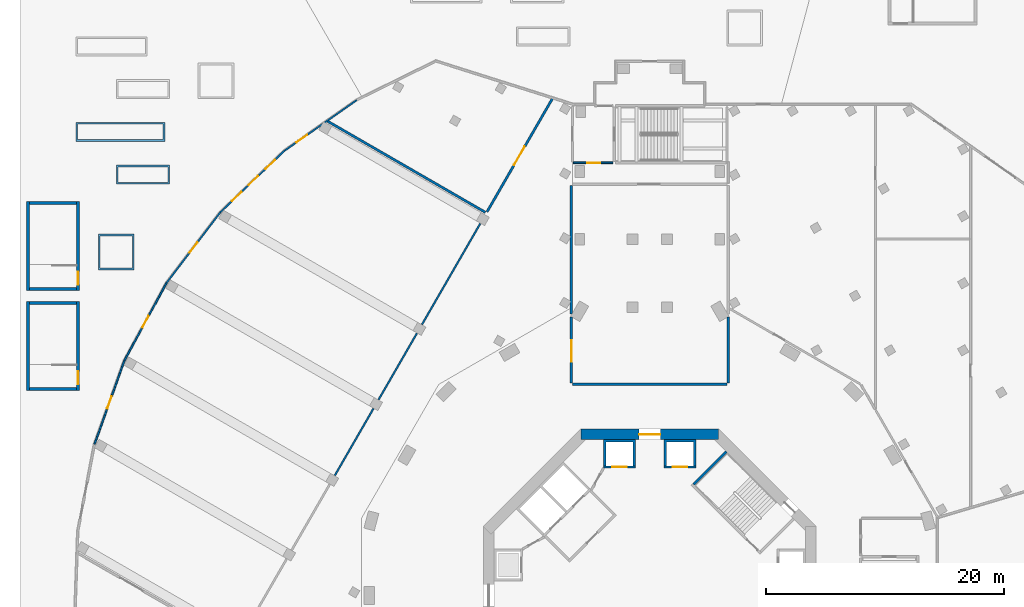
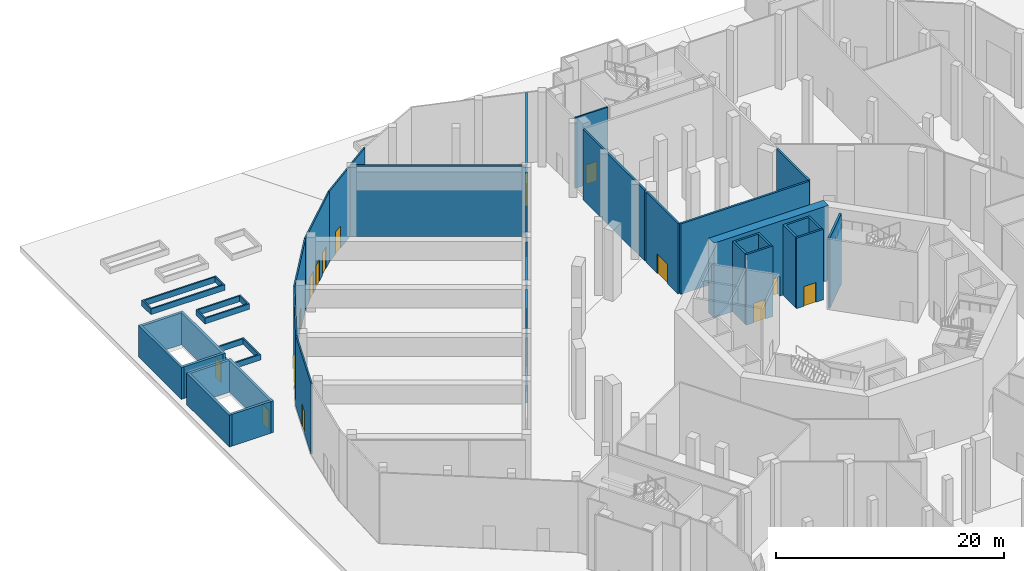
# One storey, part 10 of 30: 32 walls, 15 doors, 15 openings.
"""IFC4 building model written with IfcOpenShell, lengths in metres."""

from ifc_helpers import new_model, si_unit, direction, frame, frame_2d, origin, place, context, subcontext, project, spatial, polyline, rectangle, outline, extrude, material, layer, layer_set, type_object, element, fill, save


model = new_model("IFC4")

# Units and contexts
model_context = context("Model", 3, precision=1e-05, world=origin(), true_north=direction((0.0, 1.0)))
body_context = subcontext(model_context, "Body", "Model", "MODEL_VIEW")
ifc_project = project(units=[si_unit("LENGTHUNIT", "METRE"), si_unit("AREAUNIT", "SQUARE_METRE"), si_unit("VOLUMEUNIT", "CUBIC_METRE"), si_unit("PLANEANGLEUNIT", "RADIAN"), si_unit("MASSUNIT", "GRAM", prefix="KILO")], contexts=[model_context])

# Site, building, storey
site_placement = place(None, origin())
site = spatial("IfcSite", under=ifc_project, at=site_placement, CompositionType="ELEMENT")
building_placement = place(site_placement, origin())
building = spatial("IfcBuilding", under=site, at=building_placement, Name="Verdalira Terraces Hotel", CompositionType="ELEMENT")
storey_placement = place(building_placement, origin())
storey = spatial("IfcBuildingStorey", under=building, at=storey_placement, Name="L00", CompositionType="ELEMENT", Elevation=0.0)

# Wall
ifc_material_1 = material(Name="Concrete C50", Category="concrete")
ifc_layer_1 = layer(ifc_material_1, 0.199951171875)
ifc_layer_set_1 = layer_set([ifc_layer_1], Name="Core RC wall 200 C50")
wall_type_1 = type_object("IfcWallType", Name="Core RC wall 200 C50", PredefinedType="SOLIDWALL", material=ifc_layer_set_1)
wall_1_placement = place(storey_placement, origin())
element("IfcWall", 1, at=wall_1_placement, inside=storey, type_object=wall_type_1, Name="L00 shaft wall N1", PredefinedType="SOLIDWALL", context=body_context, shape_type="SweptSolid", body=[
    extrude(outline(polyline([(3.899902, 13.100098), (3.899902, 10.899902), (3.699951, 10.899902), (3.699951, 12.899902), (1.399902, 12.899902), (1.399902, 10.899902), (1.199951, 10.899902), (1.199951, 13.100098), (3.899902, 13.100098)])), origin(), (0.0, 0.0, 1.0), 7.550049),
])

# Wall, opening, door
wall_2_placement = place(storey_placement, frame((1.199951, 10.800049, 0.0), z_axis=(0.0, 0.0, 1.0), x_axis=(1.0, 0.0, 0.0)))
wall_2 = element("IfcWall", 2, at=wall_2_placement, inside=storey, type_object=wall_type_1, Name="L00 shaft front wall N1", PredefinedType="SOLIDWALL", context=body_context, shape_type="SweptSolid", body=[
    extrude(rectangle(XDim=2.699951, YDim=0.199951, at=frame_2d((1.350098, 0.0))), origin(), (0.0, 0.0, 1.0), 7.550049),
])
opening_1_placement = place(wall_2_placement, frame((0.75, 0.0, 0.0)))
opening_1 = element("IfcOpeningElement", 3, at=opening_1_placement, cuts=wall_2, Name="Opening LD-L00-803", PredefinedType="OPENING", context=body_context, shape_type="SweptSolid", body=[
    extrude(rectangle(XDim=1.199951, YDim=2.100098, at=frame_2d((0.600098, 1.050049))), frame((0.0, 0.109863, 0.0), z_axis=(0.0, -1.0, 0.0), x_axis=(1.0, 0.0, 0.0)), (0.0, 0.0, 1.0), 0.219971),
])
ifc_material_2 = material(Name="Stainless steel", Category="steel")
door_type_1 = type_object("IfcDoorType", Name="Landing door 1200 x 2100", OperationType="NOTDEFINED", PredefinedType="DOOR", material=ifc_material_2)
door_1_placement = place(opening_1_placement, origin())
door_1 = element("IfcDoor", 4, at=door_1_placement, inside=storey, type_object=door_type_1, Name="Lift landing door LR3 L00", OperationType="DOUBLE_DOOR_SLIDING", OverallHeight=2.10009765625, OverallWidth=1.199951171875, PredefinedType="DOOR", context=body_context, shape_type="SweptSolid", body=[
    extrude(rectangle(XDim=1.199951, YDim=2.100098, at=frame_2d((0.600098, 1.050049))), frame((0.0, 0.024902, 0.0), z_axis=(0.0, -1.0, 0.0), x_axis=(1.0, 0.0, 0.0)), (0.0, 0.0, 1.0), 0.050049),
])
fill(opening_1, door_1)

# Wall
wall_3_placement = place(storey_placement, origin())
element("IfcWall", 5, at=wall_3_placement, inside=storey, type_object=wall_type_1, Name="L00 shaft wall N2", PredefinedType="SOLIDWALL", context=body_context, shape_type="SweptSolid", body=[
    extrude(outline(polyline([(-3.899902, 10.899902), (-3.899902, 13.100098), (-1.199951, 13.100098), (-1.199951, 10.899902), (-1.399902, 10.899902), (-1.399902, 12.899902), (-3.699951, 12.899902), (-3.699951, 10.899902), (-3.899902, 10.899902)])), origin(), (0.0, 0.0, 1.0), 7.550049),
])

# Wall, opening, door
wall_4_placement = place(storey_placement, frame((-1.199951, 10.800049, 0.0), z_axis=(0.0, 0.0, 1.0), x_axis=(-1.0, 0.0, 0.0)))
wall_4 = element("IfcWall", 6, at=wall_4_placement, inside=storey, type_object=wall_type_1, Name="L00 shaft front wall N2", PredefinedType="SOLIDWALL", context=body_context, shape_type="SweptSolid", body=[
    extrude(rectangle(XDim=2.699951, YDim=0.199951, at=frame_2d((1.350098, 0.0))), origin(), (0.0, 0.0, 1.0), 7.550049),
])
opening_2_placement = place(wall_4_placement, frame((0.75, 0.0, 0.0)))
opening_2 = element("IfcOpeningElement", 7, at=opening_2_placement, cuts=wall_4, Name="Opening LD-L00-804", PredefinedType="OPENING", context=body_context, shape_type="SweptSolid", body=[
    extrude(rectangle(XDim=1.199951, YDim=2.100098, at=frame_2d((0.600098, 1.050049))), frame((0.0, 0.109863, 0.0), z_axis=(0.0, -1.0, 0.0), x_axis=(1.0, 0.0, 0.0)), (0.0, 0.0, 1.0), 0.219971),
])
door_2_placement = place(opening_2_placement, origin())
door_2 = element("IfcDoor", 8, at=door_2_placement, inside=storey, type_object=door_type_1, Name="Lift landing door LR4 L00", OperationType="DOUBLE_DOOR_SLIDING", OverallHeight=2.10009765625, OverallWidth=1.199951171875, PredefinedType="DOOR", context=body_context, shape_type="SweptSolid", body=[
    extrude(rectangle(XDim=1.199951, YDim=2.100098, at=frame_2d((0.600098, 1.050049))), frame((0.0, 0.024902, 0.0), z_axis=(0.0, -1.0, 0.0), x_axis=(1.0, 0.0, 0.0)), (0.0, 0.0, 1.0), 0.050049),
])
fill(opening_2, door_2)

# Wall
wall_5_placement = place(storey_placement, frame((3.677002, 9.33374, 0.0), z_axis=(0.0, 0.0, 1.0), x_axis=(0.707106781, 0.707106781, 0.0)))
element("IfcWall", 9, at=wall_5_placement, inside=storey, type_object=wall_type_1, Name="L00 stair ST1 end wall 2", PredefinedType="SOLIDWALL", context=body_context, shape_type="SweptSolid", body=[
    extrude(rectangle(XDim=3.900146, YDim=0.199951, at=frame_2d((1.950195, 0.0))), origin(), (0.0, 0.0, 1.0), 7.550049),
])

# Wall, opening, door
ifc_material_3 = material(Name="Concrete C70", Category="concrete")
ifc_layer_2 = layer(ifc_material_3, 0.89990234375)
ifc_layer_set_2 = layer_set([ifc_layer_2], Name="Core wall 900 C70")
wall_type_2 = type_object("IfcWallType", Name="Core wall 900 C70", PredefinedType="SHEAR", material=ifc_layer_set_2)
wall_6_placement = place(storey_placement, frame((5.799072, 13.550049, 0.0), z_axis=(0.0, 0.0, 1.0), x_axis=(-1.0, 0.0, 0.0)))
wall_6 = element("IfcWall", 10, at=wall_6_placement, inside=storey, type_object=wall_type_2, Name="Core wall CW-L00-3", PredefinedType="SHEAR", context=body_context, shape_type="SweptSolid", body=[
    extrude(rectangle(XDim=11.598145, YDim=0.899902, at=frame_2d((5.799072, 0.0))), origin(), (0.0, 0.0, 1.0), 8.0),
])
opening_3_placement = place(wall_6_placement, frame((4.898926, 0.0, 0.0)))
opening_3 = element("IfcOpeningElement", 11, at=opening_3_placement, cuts=wall_6, Name="Opening L00-815", PredefinedType="OPENING", context=body_context, shape_type="SweptSolid", body=[
    extrude(rectangle(XDim=1.800049, YDim=2.100098, at=frame_2d((0.899902, 1.050049))), frame((0.0, 0.459961, 0.0), z_axis=(0.0, -1.0, 0.0), x_axis=(1.0, 0.0, 0.0)), (0.0, 0.0, 1.0), 0.919922),
])
ifc_material_4 = material(Name="Steel fire door", Category="steel")
door_type_2 = type_object("IfcDoorType", Name="Core entry door pair 1800 x 2100", OperationType="NOTDEFINED", PredefinedType="DOOR", material=ifc_material_4)
door_3_placement = place(opening_3_placement, origin())
door_3 = element("IfcDoor", 12, at=door_3_placement, inside=storey, type_object=door_type_2, Name="Core entry door L00 2", OperationType="DOUBLE_DOOR_SINGLE_SWING", OverallHeight=2.10009765625, OverallWidth=1.800048828125, PredefinedType="DOOR", context=body_context, shape_type="SweptSolid", body=[
    extrude(rectangle(XDim=1.800049, YDim=2.100098, at=frame_2d((0.899902, 1.050049))), frame((0.0, 0.024902, 0.0), z_axis=(0.0, -1.0, 0.0), x_axis=(1.0, 0.0, 0.0)), (0.0, 0.0, 1.0), 0.050049),
])
fill(opening_3, door_3)

ifc_material_5 = material(Name="Concrete block masonry", Category="masonry")
ifc_layer_3 = layer(ifc_material_5, 0.199951171875)
ifc_layer_set_3 = layer_set([ifc_layer_3], Name="Fire-rated masonry wall 200 mm")
wall_type_3 = type_object("IfcWallType", Name="Fire-rated masonry wall 200 mm", PredefinedType="SOLIDWALL", material=ifc_layer_set_3)
wall_7_placement = place(storey_placement, frame((-8.172119, 41.845703, 0.0), z_axis=(0.0, 0.0, 1.0), x_axis=(-0.499985024, -0.86603405, 0.0)))
wall_7 = element("IfcWall", 13, at=wall_7_placement, inside=storey, type_object=wall_type_3, Name="Plant and kitchen enclosure wall", PredefinedType="SOLIDWALL", context=body_context, shape_type="SweptSolid", body=[
    extrude(rectangle(XDim=11.053467, YDim=0.199951, at=frame_2d((5.526855, 0.0))), origin(), (0.0, 0.0, 1.0), 7.550049),
])
opening_4_placement = place(wall_7_placement, frame((4.703613, 0.0, 0.0)))
opening_4 = element("IfcOpeningElement", 14, at=opening_4_placement, cuts=wall_7, Name="Opening L00-D10", PredefinedType="OPENING", context=body_context, shape_type="SweptSolid", body=[
    extrude(rectangle(XDim=1.800049, YDim=2.100098, at=frame_2d((0.899902, 1.050049))), frame((0.0, 0.109863, 0.0), z_axis=(0.0, -1.0, 0.0), x_axis=(1.0, 0.0, 0.0)), (0.0, 0.0, 1.0), 0.219971),
])
ifc_material_6 = material(Name="Steel fire door", Category="steel")
door_type_3 = type_object("IfcDoorType", Name="Fire door pair 1800 x 2100", OperationType="DOUBLE_DOOR_SINGLE_SWING", PredefinedType="DOOR", material=ifc_material_6)
door_4_placement = place(opening_4_placement, origin())
door_4 = element("IfcDoor", 15, at=door_4_placement, inside=storey, type_object=door_type_3, Name="Pre-function foyer door", OperationType="DOUBLE_DOOR_SINGLE_SWING", OverallHeight=2.10009765625, OverallWidth=1.800048828125, PredefinedType="DOOR", context=body_context, shape_type="SweptSolid", body=[
    extrude(rectangle(XDim=1.800049, YDim=2.100098, at=frame_2d((0.899902, 1.050049))), frame((0.0, 0.024902, 0.0), z_axis=(0.0, -1.0, 0.0), x_axis=(1.0, 0.0, 0.0)), (0.0, 0.0, 1.0), 0.050049),
])
fill(opening_4, door_4)

# Walls
wall_8_placement = place(storey_placement, frame((-13.835205, 32.236572, 0.0), z_axis=(0.0, 0.0, 1.0), x_axis=(-0.866027181, 0.499996921, 0.0)))
element("IfcWall", 16, at=wall_8_placement, inside=storey, type_object=wall_type_3, Name="Plant and kitchen enclosure wall", PredefinedType="SOLIDWALL", context=body_context, shape_type="SweptSolid", body=[
    extrude(rectangle(XDim=15.348145, YDim=0.199951, at=frame_2d((7.674072, 0.0))), origin(), (0.0, 0.0, 1.0), 7.550049),
])
wall_9_placement = place(storey_placement, frame((-6.5, 17.758301, 0.0), z_axis=(0.0, 0.0, 1.0), x_axis=(1.0, 0.0, 0.0)))
element("IfcWall", 17, at=wall_9_placement, inside=storey, type_object=wall_type_3, Name="Plant and kitchen enclosure wall", PredefinedType="SOLIDWALL", context=body_context, shape_type="SweptSolid", body=[
    extrude(rectangle(XDim=13.0, YDim=0.199951, at=frame_2d((6.5, 0.0))), origin(), (0.0, 0.0, 1.0), 7.550049),
])

# Wall, opening, door
wall_10_placement = place(storey_placement, frame((-6.600098, 17.858398, 0.0), z_axis=(0.0, 0.0, 1.0), x_axis=(0.0, 1.0, 0.0)))
wall_10 = element("IfcWall", 18, at=wall_10_placement, inside=storey, type_object=wall_type_3, Name="Plant and kitchen enclosure wall", PredefinedType="SOLIDWALL", context=body_context, shape_type="SweptSolid", body=[
    extrude(rectangle(XDim=5.556885, YDim=0.199951, at=frame_2d((2.77832, 0.0))), origin(), (0.0, 0.0, 1.0), 7.550049),
])
opening_5_placement = place(wall_10_placement, frame((1.806885, 0.0, 0.0)))
opening_5 = element("IfcOpeningElement", 19, at=opening_5_placement, cuts=wall_10, Name="Opening L00-D12", PredefinedType="OPENING", context=body_context, shape_type="SweptSolid", body=[
    extrude(rectangle(XDim=1.800049, YDim=2.100098, at=frame_2d((0.899902, 1.050049))), frame((0.0, 0.109863, 0.0), z_axis=(0.0, -1.0, 0.0), x_axis=(1.0, 0.0, 0.0)), (0.0, 0.0, 1.0), 0.219971),
])
door_5_placement = place(opening_5_placement, origin())
door_5 = element("IfcDoor", 20, at=door_5_placement, inside=storey, type_object=door_type_3, Name="Pre-function foyer door", OperationType="DOUBLE_DOOR_SINGLE_SWING", OverallHeight=2.10009765625, OverallWidth=1.800048828125, PredefinedType="DOOR", context=body_context, shape_type="SweptSolid", body=[
    extrude(rectangle(XDim=1.800049, YDim=2.100098, at=frame_2d((0.899902, 1.050049))), frame((0.0, 0.024902, 0.0), z_axis=(0.0, -1.0, 0.0), x_axis=(1.0, 0.0, 0.0)), (0.0, 0.0, 1.0), 0.050049),
])
fill(opening_5, door_5)

# Walls
wall_11_placement = place(storey_placement, frame((-6.600098, 34.500244, 0.0), z_axis=(0.0, 0.0, 1.0), x_axis=(0.0, -1.0, 0.0)))
element("IfcWall", 21, at=wall_11_placement, inside=storey, type_object=wall_type_3, Name="Plant and kitchen enclosure wall", PredefinedType="SOLIDWALL", context=body_context, shape_type="SweptSolid", body=[
    extrude(rectangle(XDim=10.84082, YDim=0.199951, at=frame_2d((5.42041, 0.0))), origin(), (0.0, 0.0, 1.0), 7.550049),
])
wall_12_placement = place(storey_placement, frame((6.600098, 17.858398, 0.0), z_axis=(0.0, 0.0, 1.0), x_axis=(0.0, 1.0, 0.0)))
element("IfcWall", 22, at=wall_12_placement, inside=storey, type_object=wall_type_3, Name="Plant and kitchen enclosure wall", PredefinedType="SOLIDWALL", context=body_context, shape_type="SweptSolid", body=[
    extrude(rectangle(XDim=5.556885, YDim=0.199951, at=frame_2d((2.77832, 0.0))), origin(), (0.0, 0.0, 1.0), 7.550049),
])
ifc_material_7 = material(Name="Gypsum board partition on steel stud", Category="steel")
ifc_layer_4 = layer(ifc_material_7, 0.14990234375)
ifc_layer_set_4 = layer_set([ifc_layer_4], Name="Fire-rated partition 150 mm")
wall_type_4 = type_object("IfcWallType", Name="Fire-rated partition 150 mm", PredefinedType="PARTITIONING", material=ifc_layer_set_4)
wall_13_placement = place(storey_placement, frame((-26.507812, 10.087402, 0.0), z_axis=(0.0, 0.0, 1.0), x_axis=(0.500024451, 0.866011287, 0.0)))
element("IfcWall", 23, at=wall_13_placement, inside=storey, type_object=wall_type_4, Name="Partition", PredefinedType="PARTITIONING", context=body_context, shape_type="SweptSolid", body=[
    extrude(rectangle(XDim=6.508057, YDim=0.149902, at=frame_2d((3.253906, 0.0))), origin(), (0.0, 0.0, 1.0), 7.550049),
])
wall_14_placement = place(storey_placement, frame((-22.82373, 16.468262, 0.0), z_axis=(0.0, 0.0, 1.0), x_axis=(0.500022802, 0.866012239, 0.0)))
element("IfcWall", 24, at=wall_14_placement, inside=storey, type_object=wall_type_4, Name="Partition", PredefinedType="PARTITIONING", context=body_context, shape_type="SweptSolid", body=[
    extrude(rectangle(XDim=6.449951, YDim=0.149902, at=frame_2d((3.225098, 0.0))), origin(), (0.0, 0.0, 1.0), 7.550049),
])
wall_15_placement = place(storey_placement, frame((-19.168701, 22.798828, 0.0), z_axis=(0.0, 0.0, 1.0), x_axis=(0.500006819, 0.866021467, 0.0)))
element("IfcWall", 25, at=wall_15_placement, inside=storey, type_object=wall_type_4, Name="Partition", PredefinedType="PARTITIONING", context=body_context, shape_type="SweptSolid", body=[
    extrude(rectangle(XDim=9.809814, YDim=0.149902, at=frame_2d((4.904785, 0.0))), origin(), (0.0, 0.0, 1.0), 7.550049),
])

# Wall, opening, door
wall_16_placement = place(storey_placement, frame((-3.099854, 36.399902, 0.0), z_axis=(0.0, 0.0, 1.0), x_axis=(-1.0, 0.0, 0.0)))
wall_16 = element("IfcWall", 26, at=wall_16_placement, inside=storey, type_object=wall_type_4, Name="Partition", PredefinedType="PARTITIONING", context=body_context, shape_type="SweptSolid", body=[
    extrude(rectangle(XDim=3.325439, YDim=0.149902, at=frame_2d((1.662598, 0.0))), origin(), (0.0, 0.0, 1.0), 7.550049),
])
opening_6_placement = place(wall_16_placement, frame((1.075439, 0.0, 0.0)))
opening_6 = element("IfcOpeningElement", 27, at=opening_6_placement, cuts=wall_16, Name="Opening L00-D15", PredefinedType="OPENING", context=body_context, shape_type="SweptSolid", body=[
    extrude(rectangle(XDim=1.100098, YDim=2.100098, at=frame_2d((0.550049, 1.050049))), frame((0.0, 0.084961, 0.0), z_axis=(0.0, -1.0, 0.0), x_axis=(1.0, 0.0, 0.0)), (0.0, 0.0, 1.0), 0.169922),
])
ifc_material_8 = material(Name="Steel fire door", Category="steel")
door_type_4 = type_object("IfcDoorType", Name="Stair door 1100 x 2100", OperationType="SINGLE_SWING_LEFT", PredefinedType="DOOR", material=ifc_material_8)
door_6_placement = place(opening_6_placement, origin())
door_6 = element("IfcDoor", 28, at=door_6_placement, inside=storey, type_object=door_type_4, Name="Stair door Stair approach corridor", OperationType="SINGLE_SWING_LEFT", OverallHeight=2.10009765625, OverallWidth=1.10009765625, PredefinedType="DOOR", context=body_context, shape_type="SweptSolid", body=[
    extrude(rectangle(XDim=1.100098, YDim=2.100098, at=frame_2d((0.550049, 1.050049))), frame((0.0, 0.024902, 0.0), z_axis=(0.0, -1.0, 0.0), x_axis=(1.0, 0.0, 0.0)), (0.0, 0.0, 1.0), 0.050049),
])
fill(opening_6, door_6)

# Walls
ifc_material_9 = material(Name="Concrete C40", Category="concrete")
ifc_layer_5 = layer(ifc_material_9, 0.14990234375)
ifc_layer_set_5 = layer_set([ifc_layer_5], Name="Garden planter trough 600")
wall_type_5 = type_object("IfcWallType", Name="Garden planter trough 600", PredefinedType="SOLIDWALL", material=ifc_layer_set_5)
wall_17_placement = place(storey_placement, origin())
element("IfcWall", 29, at=wall_17_placement, inside=storey, type_object=wall_type_5, Name="Garden planter", PredefinedType="SOLIDWALL", context=body_context, shape_type="SweptSolid", body=[
    extrude(outline(polyline([(-46.399902, 27.399902), (-43.399902, 27.399902), (-43.399902, 30.399902), (-46.399902, 30.399902), (-46.399902, 27.399902)]), holes=[polyline([(-46.25, 27.550049), (-46.25, 30.25), (-43.550049, 30.25), (-43.550049, 27.550049), (-46.25, 27.550049)])]), origin(), (0.0, 0.0, 1.0), 0.600098),
])
wall_18_placement = place(storey_placement, origin())
element("IfcWall", 30, at=wall_18_placement, inside=storey, type_object=wall_type_5, Name="Garden planter", PredefinedType="SOLIDWALL", context=body_context, shape_type="SweptSolid", body=[
    extrude(outline(polyline([(-44.899902, 34.600098), (-40.399902, 34.600098), (-40.399902, 36.199951), (-44.899902, 36.199951), (-44.899902, 34.600098)]), holes=[polyline([(-44.75, 34.75), (-44.75, 36.050049), (-40.550049, 36.050049), (-40.550049, 34.75), (-44.75, 34.75)])]), origin(), (0.0, 0.0, 1.0), 0.600098),
])
wall_19_placement = place(storey_placement, origin())
element("IfcWall", 31, at=wall_19_placement, inside=storey, type_object=wall_type_5, Name="Garden planter", PredefinedType="SOLIDWALL", context=body_context, shape_type="SweptSolid", body=[
    extrude(outline(polyline([(-48.300049, 38.199951), (-40.800049, 38.199951), (-40.800049, 39.800049), (-48.300049, 39.800049), (-48.300049, 38.199951)]), holes=[polyline([(-48.149902, 38.350098), (-48.149902, 39.649902), (-40.949951, 39.649902), (-40.949951, 38.350098), (-48.149902, 38.350098)])]), origin(), (0.0, 0.0, 1.0), 0.600098),
])
ifc_material_10 = material(Name="Concrete C40", Category="concrete")
ifc_layer_6 = layer(ifc_material_10, 0.25)
ifc_layer_set_6 = layer_set([ifc_layer_6], Name="Stair head house wall 250 C40")
wall_type_6 = type_object("IfcWallType", Name="Stair head house wall 250 C40", PredefinedType="SOLIDWALL", material=ifc_layer_set_6)
wall_20_placement = place(storey_placement, frame((-52.324951, 25.649902, 0.0), z_axis=(0.0, 0.0, 1.0), x_axis=(0.0, 1.0, 0.0)))
element("IfcWall", 32, at=wall_20_placement, inside=storey, type_object=wall_type_6, Name="Stair BS4 enclosure wall", PredefinedType="SOLIDWALL", context=body_context, shape_type="SweptSolid", body=[
    extrude(rectangle(XDim=7.5, YDim=0.25, at=frame_2d((3.75, 0.0))), origin(), (0.0, 0.0, 1.0), 3.399902),
])

# Wall, opening, door
wall_21_placement = place(storey_placement, frame((-48.125, 33.149902, 0.0), z_axis=(0.0, 0.0, 1.0), x_axis=(0.0, -1.0, 0.0)))
wall_21 = element("IfcWall", 33, at=wall_21_placement, inside=storey, type_object=wall_type_6, Name="Stair BS4 enclosure wall", PredefinedType="SOLIDWALL", context=body_context, shape_type="SweptSolid", body=[
    extrude(rectangle(XDim=7.5, YDim=0.25, at=frame_2d((3.75, 0.0))), origin(), (0.0, 0.0, 1.0), 3.399902),
])
opening_7_placement = place(wall_21_placement, frame((5.899902, 0.0, 0.0)))
opening_7 = element("IfcOpeningElement", 34, at=opening_7_placement, cuts=wall_21, Name="Opening L00-D604", PredefinedType="OPENING", context=body_context, shape_type="SweptSolid", body=[
    extrude(rectangle(XDim=1.100098, YDim=2.100098, at=frame_2d((0.550049, 1.050049))), frame((0.0, 0.13501, 0.0), z_axis=(0.0, -1.0, 0.0), x_axis=(1.0, 0.0, 0.0)), (0.0, 0.0, 1.0), 0.27002),
])
ifc_material_11 = material(Name="Steel fire door", Category="steel")
door_type_5 = type_object("IfcDoorType", Name="Stair exit door 1100 x 2100", OperationType="SINGLE_SWING_RIGHT", PredefinedType="DOOR", material=ifc_material_11)
door_7_placement = place(opening_7_placement, origin())
door_7 = element("IfcDoor", 35, at=door_7_placement, inside=storey, type_object=door_type_5, Name="Stair BS4 exit door", OperationType="SINGLE_SWING_RIGHT", OverallHeight=2.10009765625, OverallWidth=1.10009765625, PredefinedType="DOOR", context=body_context, shape_type="SweptSolid", body=[
    extrude(rectangle(XDim=1.100098, YDim=2.100098, at=frame_2d((0.550049, 1.050049))), frame((0.0, 0.024902, 0.0), z_axis=(0.0, -1.0, 0.0), x_axis=(1.0, 0.0, 0.0)), (0.0, 0.0, 1.0), 0.050049),
])
fill(opening_7, door_7)

# Walls
for number, where, z_axis, x_axis, name in (
    (36, (-48.25, 25.774902, 0.0), (0.0, 0.0, 1.0), (-1.0, 0.0, 0.0), "Stair BS4 enclosure wall"),
    (37, (-48.25, 33.024902, 0.0), (0.0, 0.0, 1.0), (-1.0, 0.0, 0.0), "Stair BS4 enclosure wall"),
):
    element("IfcWall", number, at=place(storey_placement, frame(where, z_axis=z_axis, x_axis=x_axis)), inside=storey, type_object=wall_type_6, Name=name, PredefinedType="SOLIDWALL", context=body_context, shape_type="SweptSolid", body=[
        extrude(rectangle(XDim=3.949951, YDim=0.25, at=frame_2d((1.975098, 0.0))), origin(), (0.0, 0.0, 1.0), 3.399902),
    ])
wall_22_placement = place(storey_placement, frame((-52.324951, 17.25, 0.0), z_axis=(0.0, 0.0, 1.0), x_axis=(0.0, 1.0, 0.0)))
element("IfcWall", 38, at=wall_22_placement, inside=storey, type_object=wall_type_6, Name="Stair BS7 enclosure wall", PredefinedType="SOLIDWALL", context=body_context, shape_type="SweptSolid", body=[
    extrude(rectangle(XDim=7.5, YDim=0.25, at=frame_2d((3.75, 0.0))), origin(), (0.0, 0.0, 1.0), 3.399902),
])

# Wall, opening, door
wall_23_placement = place(storey_placement, frame((-48.125, 24.75, 0.0), z_axis=(0.0, 0.0, 1.0), x_axis=(0.0, -1.0, 0.0)))
wall_23 = element("IfcWall", 39, at=wall_23_placement, inside=storey, type_object=wall_type_6, Name="Stair BS7 enclosure wall", PredefinedType="SOLIDWALL", context=body_context, shape_type="SweptSolid", body=[
    extrude(rectangle(XDim=7.5, YDim=0.25, at=frame_2d((3.75, 0.0))), origin(), (0.0, 0.0, 1.0), 3.399902),
])
opening_8_placement = place(wall_23_placement, frame((5.899902, 0.0, 0.0)))
opening_8 = element("IfcOpeningElement", 40, at=opening_8_placement, cuts=wall_23, Name="Opening L00-D607", PredefinedType="OPENING", context=body_context, shape_type="SweptSolid", body=[
    extrude(rectangle(XDim=1.100098, YDim=2.100098, at=frame_2d((0.550049, 1.050049))), frame((0.0, 0.13501, 0.0), z_axis=(0.0, -1.0, 0.0), x_axis=(1.0, 0.0, 0.0)), (0.0, 0.0, 1.0), 0.27002),
])
door_8_placement = place(opening_8_placement, origin())
door_8 = element("IfcDoor", 41, at=door_8_placement, inside=storey, type_object=door_type_5, Name="Stair BS7 exit door", OperationType="SINGLE_SWING_RIGHT", OverallHeight=2.10009765625, OverallWidth=1.10009765625, PredefinedType="DOOR", context=body_context, shape_type="SweptSolid", body=[
    extrude(rectangle(XDim=1.100098, YDim=2.100098, at=frame_2d((0.550049, 1.050049))), frame((0.0, 0.024902, 0.0), z_axis=(0.0, -1.0, 0.0), x_axis=(1.0, 0.0, 0.0)), (0.0, 0.0, 1.0), 0.050049),
])
fill(opening_8, door_8)

# Walls
for number, where, z_axis, x_axis, name in (
    (42, (-48.25, 17.375, 0.0), (0.0, 0.0, 1.0), (-1.0, 0.0, 0.0), "Stair BS7 enclosure wall"),
    (43, (-48.25, 24.625, 0.0), (0.0, 0.0, 1.0), (-1.0, 0.0, 0.0), "Stair BS7 enclosure wall"),
):
    element("IfcWall", number, at=place(storey_placement, frame(where, z_axis=z_axis, x_axis=x_axis)), inside=storey, type_object=wall_type_6, Name=name, PredefinedType="SOLIDWALL", context=body_context, shape_type="SweptSolid", body=[
        extrude(rectangle(XDim=3.949951, YDim=0.25, at=frame_2d((1.975098, 0.0))), origin(), (0.0, 0.0, 1.0), 3.399902),
    ])

# Wall, opening, door
ifc_material_12 = material(Name="Terracotta cladding on steel stud backup", Category="masonry")
ifc_layer_7 = layer(ifc_material_12, 0.139892578125)
ifc_layer_set_7 = layer_set([ifc_layer_7], Name="Terracotta clad wall 140 mm")
wall_type_7 = type_object("IfcWallType", Name="Terracotta clad wall 140 mm", PredefinedType="SOLIDWALL", material=ifc_layer_set_7)
wall_24_placement = place(storey_placement, frame((-30.774414, 37.395508, 0.0), z_axis=(0.0, 0.0, 1.0), x_axis=(0.818847658, 0.5740109, 0.0)))
wall_24 = element("IfcWall", 44, at=wall_24_placement, inside=storey, type_object=wall_type_7, Name="Podium facade wall", PredefinedType="SOLIDWALL", context=body_context, shape_type="SweptSolid", body=[
    extrude(rectangle(XDim=7.46582, YDim=0.139893, at=frame_2d((3.73291, 0.0))), origin(), (0.0, 0.0, 1.0), 7.550049),
])
opening_9_placement = place(wall_24_placement, frame((1.283203, 0.0, 0.0)))
opening_9 = element("IfcOpeningElement", 45, at=opening_9_placement, cuts=wall_24, Name="Opening L00-E15", PredefinedType="OPENING", context=body_context, shape_type="SweptSolid", body=[
    extrude(rectangle(XDim=1.100098, YDim=2.399902, at=frame_2d((0.550049, 1.199951))), frame((0.0, 0.079834, 0.0), z_axis=(0.0, -1.0, 0.0), x_axis=(1.0, 0.0, 0.0)), (0.0, 0.0, 1.0), 0.159912),
])
ifc_material_13 = material(Name="Glazed steel door", Category="steel")
door_type_6 = type_object("IfcDoorType", Name="Exit door 1100 x 2400", OperationType="SINGLE_SWING_RIGHT", PredefinedType="DOOR", material=ifc_material_13)
door_9_placement = place(opening_9_placement, origin())
door_9 = element("IfcDoor", 46, at=door_9_placement, inside=storey, type_object=door_type_6, Name="Exit door", OperationType="SINGLE_SWING_LEFT", OverallHeight=2.39990234375, OverallWidth=1.10009765625, PredefinedType="DOOR", context=body_context, shape_type="SweptSolid", body=[
    extrude(rectangle(XDim=1.100098, YDim=2.399902, at=frame_2d((0.550049, 1.199951))), frame((0.0, 0.024902, 0.0), z_axis=(0.0, -1.0, 0.0), x_axis=(1.0, 0.0, 0.0)), (0.0, 0.0, 1.0), 0.050049),
])
fill(opening_9, door_9)

# Wall, openings, doors
wall_25_placement = place(storey_placement, frame((-36.14917, 32.229248, 0.0), z_axis=(0.0, 0.0, 1.0), x_axis=(0.721028464, 0.692905444, 0.0)))
wall_25 = element("IfcWall", 47, at=wall_25_placement, inside=storey, type_object=wall_type_7, Name="Podium facade wall", PredefinedType="SOLIDWALL", context=body_context, shape_type="SweptSolid", body=[
    extrude(rectangle(XDim=7.46582, YDim=0.139893, at=frame_2d((3.73291, 0.0))), origin(), (0.0, 0.0, 1.0), 7.550049),
])
opening_10_placement = place(wall_25_placement, frame((5.268799, 0.0, 0.0)))
opening_10 = element("IfcOpeningElement", 48, at=opening_10_placement, cuts=wall_25, Name="Opening L00-E16", PredefinedType="OPENING", context=body_context, shape_type="SweptSolid", body=[
    extrude(rectangle(XDim=1.100098, YDim=2.399902, at=frame_2d((0.550049, 1.199951))), frame((0.0, 0.079834, 0.0), z_axis=(0.0, -1.0, 0.0), x_axis=(1.0, 0.0, 0.0)), (0.0, 0.0, 1.0), 0.159912),
])
opening_11_placement = place(wall_25_placement, frame((3.326904, 0.0, 0.0)))
opening_11 = element("IfcOpeningElement", 49, at=opening_11_placement, cuts=wall_25, Name="Opening L00-E17", PredefinedType="OPENING", context=body_context, shape_type="SweptSolid", body=[
    extrude(rectangle(XDim=1.100098, YDim=2.399902, at=frame_2d((0.550049, 1.199951))), frame((0.0, 0.079834, 0.0), z_axis=(0.0, -1.0, 0.0), x_axis=(1.0, 0.0, 0.0)), (0.0, 0.0, 1.0), 0.159912),
])
opening_12_placement = place(wall_25_placement, frame((1.385254, 0.0, 0.0)))
opening_12 = element("IfcOpeningElement", 50, at=opening_12_placement, cuts=wall_25, Name="Opening L00-E18", PredefinedType="OPENING", context=body_context, shape_type="SweptSolid", body=[
    extrude(rectangle(XDim=1.100098, YDim=2.399902, at=frame_2d((0.550049, 1.199951))), frame((0.0, 0.079834, 0.0), z_axis=(0.0, -1.0, 0.0), x_axis=(1.0, 0.0, 0.0)), (0.0, 0.0, 1.0), 0.159912),
])
door_10_placement = place(opening_10_placement, origin())
door_10 = element("IfcDoor", 51, at=door_10_placement, inside=storey, type_object=door_type_6, Name="Exit door", OperationType="SINGLE_SWING_RIGHT", OverallHeight=2.39990234375, OverallWidth=1.10009765625, PredefinedType="DOOR", context=body_context, shape_type="SweptSolid", body=[
    extrude(rectangle(XDim=1.100098, YDim=2.399902, at=frame_2d((0.550049, 1.199951))), frame((0.0, 0.024902, 0.0), z_axis=(0.0, -1.0, 0.0), x_axis=(1.0, 0.0, 0.0)), (0.0, 0.0, 1.0), 0.050049),
])
fill(opening_10, door_10)
door_11_placement = place(opening_11_placement, origin())
door_11 = element("IfcDoor", 52, at=door_11_placement, inside=storey, type_object=door_type_6, Name="Exit door", OperationType="SINGLE_SWING_LEFT", OverallHeight=2.39990234375, OverallWidth=1.10009765625, PredefinedType="DOOR", context=body_context, shape_type="SweptSolid", body=[
    extrude(rectangle(XDim=1.100098, YDim=2.399902, at=frame_2d((0.550049, 1.199951))), frame((0.0, 0.024902, 0.0), z_axis=(0.0, -1.0, 0.0), x_axis=(1.0, 0.0, 0.0)), (0.0, 0.0, 1.0), 0.050049),
])
fill(opening_11, door_11)
door_12_placement = place(opening_12_placement, origin())
door_12 = element("IfcDoor", 53, at=door_12_placement, inside=storey, type_object=door_type_6, Name="Exit door", OperationType="SINGLE_SWING_RIGHT", OverallHeight=2.39990234375, OverallWidth=1.10009765625, PredefinedType="DOOR", context=body_context, shape_type="SweptSolid", body=[
    extrude(rectangle(XDim=1.100098, YDim=2.399902, at=frame_2d((0.550049, 1.199951))), frame((0.0, 0.024902, 0.0), z_axis=(0.0, -1.0, 0.0), x_axis=(1.0, 0.0, 0.0)), (0.0, 0.0, 1.0), 0.050049),
])
fill(opening_12, door_12)

# Wall, opening, door
wall_26_placement = place(storey_placement, frame((-40.66748, 26.299316, 0.0), z_axis=(0.0, 0.0, 1.0), x_axis=(0.606145676, 0.795353644, 0.0)))
wall_26 = element("IfcWall", 54, at=wall_26_placement, inside=storey, type_object=wall_type_7, Name="Podium facade wall", PredefinedType="SOLIDWALL", context=body_context, shape_type="SweptSolid", body=[
    extrude(rectangle(XDim=7.46582, YDim=0.139893, at=frame_2d((3.73291, 0.0))), origin(), (0.0, 0.0, 1.0), 7.550049),
])
opening_13_placement = place(wall_26_placement, frame((3.18335, 0.0, 0.0)))
opening_13 = element("IfcOpeningElement", 55, at=opening_13_placement, cuts=wall_26, Name="Opening L00-E19", PredefinedType="OPENING", context=body_context, shape_type="SweptSolid", body=[
    extrude(rectangle(XDim=1.100098, YDim=2.399902, at=frame_2d((0.550049, 1.199951))), frame((0.0, 0.079834, 0.0), z_axis=(0.0, -1.0, 0.0), x_axis=(1.0, 0.0, 0.0)), (0.0, 0.0, 1.0), 0.159912),
])
door_13_placement = place(opening_13_placement, origin())
door_13 = element("IfcDoor", 56, at=door_13_placement, inside=storey, type_object=door_type_6, Name="Exit door", OperationType="SINGLE_SWING_LEFT", OverallHeight=2.39990234375, OverallWidth=1.10009765625, PredefinedType="DOOR", context=body_context, shape_type="SweptSolid", body=[
    extrude(rectangle(XDim=1.100098, YDim=2.399902, at=frame_2d((0.550049, 1.199951))), frame((0.0, 0.024902, 0.0), z_axis=(0.0, -1.0, 0.0), x_axis=(1.0, 0.0, 0.0)), (0.0, 0.0, 1.0), 0.050049),
])
fill(opening_13, door_13)

wall_27_placement = place(storey_placement, frame((-44.221924, 19.746094, 0.0), z_axis=(0.0, 0.0, 1.0), x_axis=(0.476878241, 0.878969364, 0.0)))
wall_27 = element("IfcWall", 57, at=wall_27_placement, inside=storey, type_object=wall_type_7, Name="Podium facade wall", PredefinedType="SOLIDWALL", context=body_context, shape_type="SweptSolid", body=[
    extrude(rectangle(XDim=7.46582, YDim=0.139893, at=frame_2d((3.73291, 0.0))), origin(), (0.0, 0.0, 1.0), 7.550049),
])
opening_14_placement = place(wall_27_placement, frame((3.183105, 0.0, 0.0)))
opening_14 = element("IfcOpeningElement", 58, at=opening_14_placement, cuts=wall_27, Name="Opening L00-E20", PredefinedType="OPENING", context=body_context, shape_type="SweptSolid", body=[
    extrude(rectangle(XDim=1.100098, YDim=2.399902, at=frame_2d((0.550049, 1.199951))), frame((0.0, 0.079834, 0.0), z_axis=(0.0, -1.0, 0.0), x_axis=(1.0, 0.0, 0.0)), (0.0, 0.0, 1.0), 0.159912),
])
door_14_placement = place(opening_14_placement, origin())
door_14 = element("IfcDoor", 59, at=door_14_placement, inside=storey, type_object=door_type_6, Name="Exit door", OperationType="SINGLE_SWING_RIGHT", OverallHeight=2.39990234375, OverallWidth=1.10009765625, PredefinedType="DOOR", context=body_context, shape_type="SweptSolid", body=[
    extrude(rectangle(XDim=1.100098, YDim=2.399902, at=frame_2d((0.550049, 1.199951))), frame((0.0, 0.024902, 0.0), z_axis=(0.0, -1.0, 0.0), x_axis=(1.0, 0.0, 0.0)), (0.0, 0.0, 1.0), 0.050049),
])
fill(opening_14, door_14)

wall_28_placement = place(storey_placement, frame((-46.728516, 12.725098, 0.0), z_axis=(0.0, 0.0, 1.0), x_axis=(0.336336397, 0.941741912, 0.0)))
wall_28 = element("IfcWall", 60, at=wall_28_placement, inside=storey, type_object=wall_type_7, Name="Podium facade wall", PredefinedType="SOLIDWALL", context=body_context, shape_type="SweptSolid", body=[
    extrude(rectangle(XDim=7.46582, YDim=0.139893, at=frame_2d((3.73291, 0.0))), origin(), (0.0, 0.0, 1.0), 7.550049),
])
opening_15_placement = place(wall_28_placement, frame((3.183105, 0.0, 0.0)))
opening_15 = element("IfcOpeningElement", 61, at=opening_15_placement, cuts=wall_28, Name="Opening L00-E21", PredefinedType="OPENING", context=body_context, shape_type="SweptSolid", body=[
    extrude(rectangle(XDim=1.100098, YDim=2.399902, at=frame_2d((0.550049, 1.199951))), frame((0.0, 0.079834, 0.0), z_axis=(0.0, -1.0, 0.0), x_axis=(1.0, 0.0, 0.0)), (0.0, 0.0, 1.0), 0.159912),
])
door_15_placement = place(opening_15_placement, origin())
door_15 = element("IfcDoor", 62, at=door_15_placement, inside=storey, type_object=door_type_6, Name="Exit door", OperationType="SINGLE_SWING_LEFT", OverallHeight=2.39990234375, OverallWidth=1.10009765625, PredefinedType="DOOR", context=body_context, shape_type="SweptSolid", body=[
    extrude(rectangle(XDim=1.100098, YDim=2.399902, at=frame_2d((0.550049, 1.199951))), frame((0.0, 0.024902, 0.0), z_axis=(0.0, -1.0, 0.0), x_axis=(1.0, 0.0, 0.0)), (0.0, 0.0, 1.0), 0.050049),
])
fill(opening_15, door_15)

save(model, "model.ifc")
